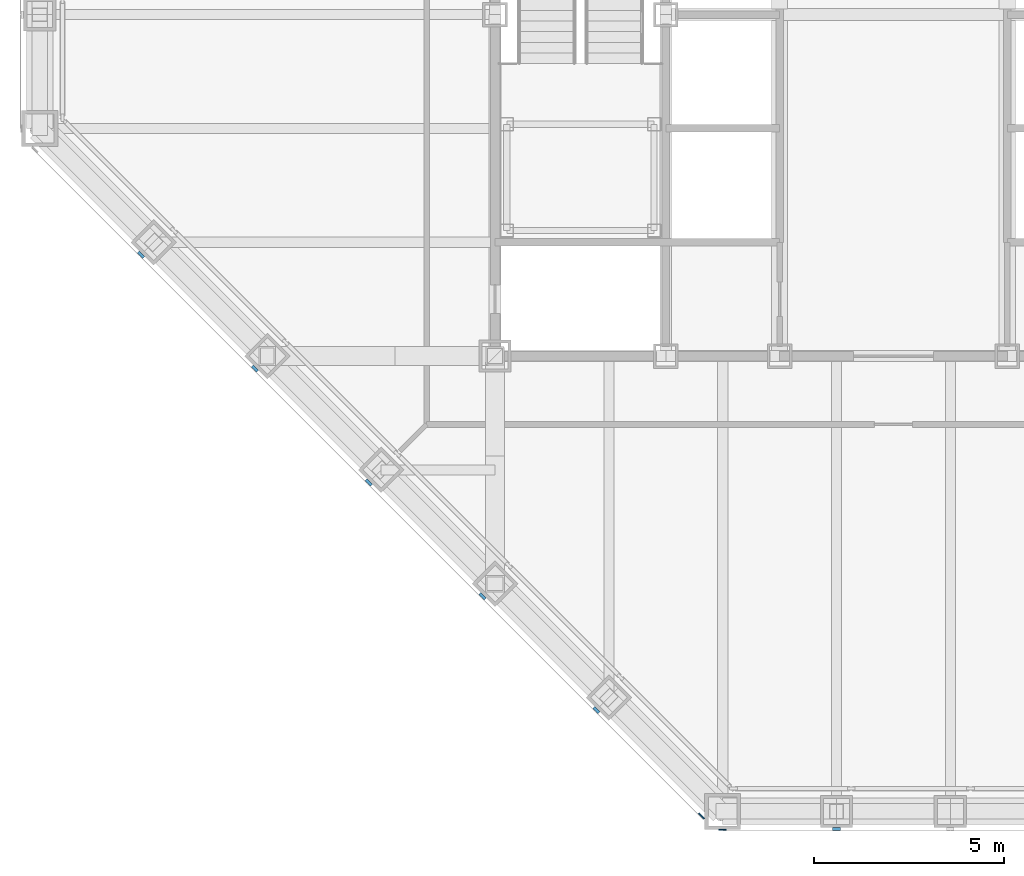
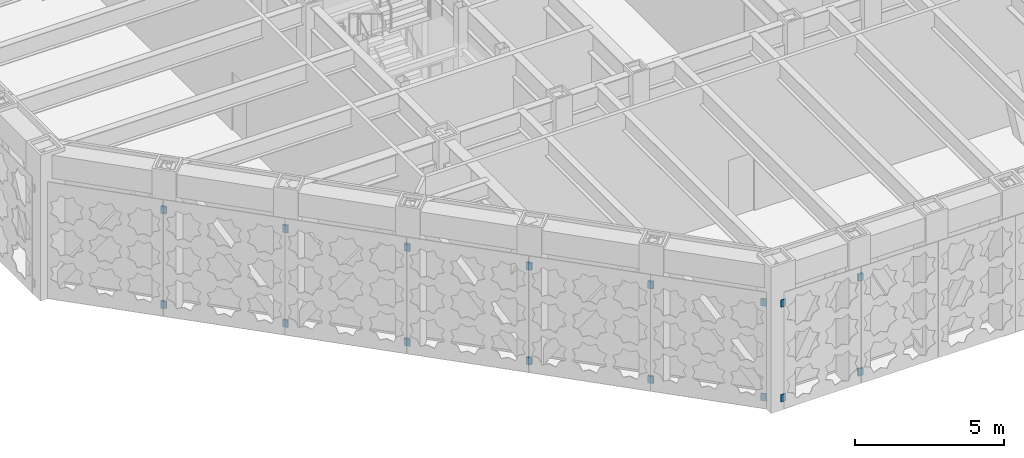
# One storey, part 12 of 28: 16 discrete accessories.
"""IFC4 building model written with IfcOpenShell, lengths in metres."""

from ifc_helpers import new_model, si_unit, direction, frame, origin, origin_2d, place, context, subcontext, project, spatial, rectangle, extrude, material, type_object, element, save


model = new_model("IFC4")

# Units and contexts
model_context = context("Model", 3, precision=1e-05, world=origin(), true_north=direction((0.0, 1.0)))
body_context = subcontext(model_context, "Body", "Model", "MODEL_VIEW")
ifc_project = project(units=[si_unit("LENGTHUNIT", "METRE"), si_unit("AREAUNIT", "SQUARE_METRE"), si_unit("VOLUMEUNIT", "CUBIC_METRE"), si_unit("PLANEANGLEUNIT", "RADIAN"), si_unit("MASSUNIT", "GRAM", prefix="KILO")], contexts=[model_context])

# Site, building, storey
site_placement = place(None, origin())
site = spatial("IfcSite", under=ifc_project, at=site_placement, CompositionType="ELEMENT")
building_placement = place(site_placement, origin())
building = spatial("IfcBuilding", under=site, at=building_placement, Name="Chuquiago Exchange Tower", CompositionType="ELEMENT")
storey_placement = place(building_placement, frame((0.0, 0.0, 174.0)))
storey = spatial("IfcBuildingStorey", under=building, at=storey_placement, Name="L38", CompositionType="ELEMENT", Elevation=174.0)

# Discrete accessories
ifc_material_1 = material(Name="Stainless steel plate bracket", Category="steel")
discrete_accessory_type_1 = type_object("IfcDiscreteAccessoryType", Name="GB4 cladding bracket 75", PredefinedType="BRACKET", material=ifc_material_1)
for number, where, z_axis, x_axis, name in (
    (1, (21.0, -0.46240234375, 0.35009765625), (0.0, 0.0, 1.0), (1.0, 0.0, 0.0), "Cladding bracket L38 S"),
    (2, (21.0, -0.46240234375, 4.23974609375), (0.0, 0.0, 1.0), (1.0, 0.0, 0.0), "Cladding bracket L38 S"),
    (3, (2.6728515625, 14.673095703125, 0.35009765625), (0.0, 0.0, 1.0), (0.707106781187, -0.707106781187, 0.0), "Cladding bracket L38 SW"),
    (4, (2.6728515625, 14.673095703125, 4.23974609375), (0.0, 0.0, 1.0), (0.707106781187, -0.707106781187, 0.0), "Cladding bracket L38 SW"),
    (5, (5.673095703125, 11.6728515625, 0.35009765625), (0.0, 0.0, 1.0), (0.707106781187, -0.707106781187, 0.0), "Cladding bracket L38 SW"),
    (6, (5.673095703125, 11.6728515625, 4.23974609375), (0.0, 0.0, 1.0), (0.707106781187, -0.707106781187, 0.0), "Cladding bracket L38 SW"),
    (7, (8.6728515625, 8.673095703125, 0.35009765625), (0.0, 0.0, 1.0), (0.707106781187, -0.707106781187, 0.0), "Cladding bracket L38 SW"),
    (8, (8.6728515625, 8.673095703125, 4.23974609375), (0.0, 0.0, 1.0), (0.707106781187, -0.707106781187, 0.0), "Cladding bracket L38 SW"),
    (9, (11.673095703125, 5.6728515625, 0.35009765625), (0.0, 0.0, 1.0), (0.707106781187, -0.707106781187, 0.0), "Cladding bracket L38 SW"),
    (10, (11.673095703125, 5.6728515625, 4.23974609375), (0.0, 0.0, 1.0), (0.707106781187, -0.707106781187, 0.0), "Cladding bracket L38 SW"),
    (11, (14.673095703125, 2.673095703125, 0.35009765625), (0.0, 0.0, 1.0), (0.707106781187, -0.707106781187, 0.0), "Cladding bracket L38 SW"),
    (12, (14.673095703125, 2.673095703125, 4.23974609375), (0.0, 0.0, 1.0), (0.707106781187, -0.707106781187, 0.0), "Cladding bracket L38 SW"),
):
    element("IfcDiscreteAccessory", number, at=place(storey_placement, frame(where, z_axis=z_axis, x_axis=x_axis)), inside=storey, type_object=discrete_accessory_type_1, Name=name, PredefinedType="BRACKET", context=body_context, shape_type="SweptSolid", body=[
        extrude(rectangle(XDim=0.199951171875, YDim=0.074951171875, at=origin_2d()), origin(), (0.0, 0.0, 1.0), 0.300048828125),
    ])
ifc_material_2 = material(Name="Stainless steel plate bracket", Category="steel")
discrete_accessory_type_2 = type_object("IfcDiscreteAccessoryType", Name="GB6 cladding bracket 35", PredefinedType="BRACKET", material=ifc_material_2)
for number, where, z_axis, x_axis, name in (
    (13, (17.44189453125, -0.123779296875, 0.35009765625), (0.0, 0.0, 1.0), (0.707106781187, -0.707106781187, 0.0), "Cladding bracket L38 SW"),
    (14, (17.44189453125, -0.123779296875, 4.23974609375), (0.0, 0.0, 1.0), (0.707106781187, -0.707106781187, 0.0), "Cladding bracket L38 SW"),
):
    element("IfcDiscreteAccessory", number, at=place(storey_placement, frame(where, z_axis=z_axis, x_axis=x_axis)), inside=storey, type_object=discrete_accessory_type_2, Name=name, PredefinedType="BRACKET", context=body_context, shape_type="SweptSolid", body=[
        extrude(rectangle(XDim=0.199951171875, YDim=0.035400390625, at=origin_2d()), origin(), (0.0, 0.0, 1.0), 0.300048828125),
    ])
ifc_material_3 = material(Name="Stainless steel plate bracket", Category="steel")
discrete_accessory_type_3 = type_object("IfcDiscreteAccessoryType", Name="GB7 cladding bracket 25", PredefinedType="BRACKET", material=ifc_material_3)
for number, where, z_axis, x_axis, name in (
    (15, (18.0, -0.487548828125, 0.35009765625), (0.0, 0.0, 1.0), (1.0, 0.0, 0.0), "Cladding bracket L38 S"),
    (16, (18.0, -0.487548828125, 4.23974609375), (0.0, 0.0, 1.0), (1.0, 0.0, 0.0), "Cladding bracket L38 S"),
):
    element("IfcDiscreteAccessory", number, at=place(storey_placement, frame(where, z_axis=z_axis, x_axis=x_axis)), inside=storey, type_object=discrete_accessory_type_3, Name=name, PredefinedType="BRACKET", context=body_context, shape_type="SweptSolid", body=[
        extrude(rectangle(XDim=0.199951171875, YDim=0.02490234375, at=origin_2d()), origin(), (0.0, 0.0, 1.0), 0.300048828125),
    ])

save(model, "model.ifc")
